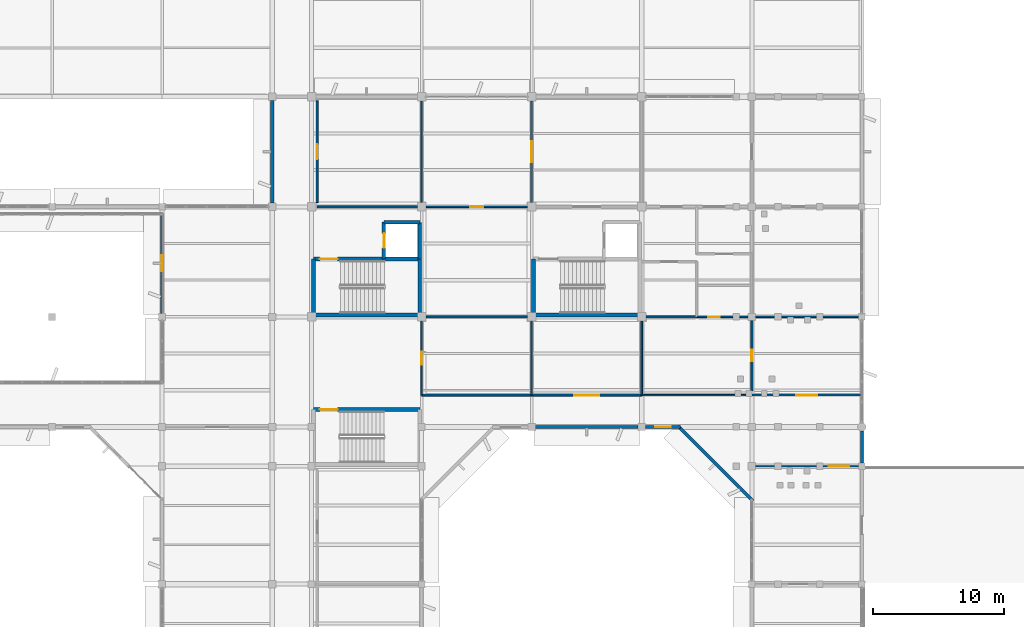
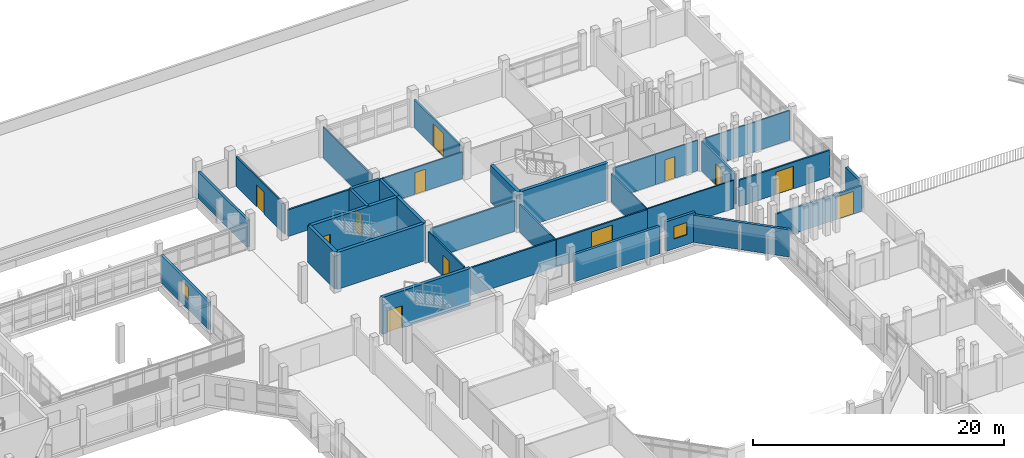
# One storey, part 64 of 92: 34 walls, 12 doors, 2 windows, 14 openings.
"""IFC4 building model written with IfcOpenShell, lengths in metres."""

from ifc_helpers import new_model, si_unit, direction, frame, frame_2d, origin, place, context, subcontext, project, spatial, rectangle, extrude, material, layer, layer_set, type_object, element, fill, save


model = new_model("IFC4")

# Units and contexts
model_context = context("Model", 3, precision=1e-05, world=origin(), true_north=direction((0.0, 1.0)))
body_context = subcontext(model_context, "Body", "Model", "MODEL_VIEW")
ifc_project = project(units=[si_unit("LENGTHUNIT", "METRE"), si_unit("AREAUNIT", "SQUARE_METRE"), si_unit("VOLUMEUNIT", "CUBIC_METRE"), si_unit("PLANEANGLEUNIT", "RADIAN"), si_unit("MASSUNIT", "GRAM", prefix="KILO")], contexts=[model_context])

# Site, building, storey
site_placement = place(None, origin())
site = spatial("IfcSite", under=ifc_project, at=site_placement, CompositionType="ELEMENT")
building_placement = place(site_placement, origin())
building = spatial("IfcBuilding", under=site, at=building_placement, Name="Vanh Quang Courtyard School", CompositionType="ELEMENT")
storey_placement = place(building_placement, frame((0.0, 0.0, 7.800048828125)))
storey = spatial("IfcBuildingStorey", under=building, at=storey_placement, Name="L02", CompositionType="ELEMENT", Elevation=7.800048828125)

# Walls
ifc_material_1 = material(Name="Concrete C35/45", Category="concrete")
ifc_layer_1 = layer(ifc_material_1, 0.300048828125)
ifc_layer_set_1 = layer_set([ifc_layer_1], Name="Concrete C35/45")
wall_type_1 = type_object("IfcWallType", Name="W-CORE-300", PredefinedType="SHEAR", material=ifc_layer_set_1)
wall_1_placement = place(storey_placement, frame((77.5400390625, 79.93994140625, 0.0), z_axis=(0.0, 0.0, 1.0), x_axis=(1.0, 0.0, 0.0)))
element("IfcWall", 1, at=wall_1_placement, inside=storey, type_object=wall_type_1, Name="Wall W-CORE1 (L02)", PredefinedType="SHEAR", context=body_context, shape_type="SweptSolid", body=[
    extrude(rectangle(XDim=8.119873046875, YDim=0.300048828125, at=frame_2d((4.06005859375, 0.0))), origin(), (0.0, 0.0, 1.0), 3.599853515625),
])
wall_2_placement = place(storey_placement, frame((85.659912109375, 79.93994140625, 0.0), z_axis=(0.0, 0.0, 1.0), x_axis=(0.0, 1.0, 0.0)))
element("IfcWall", 2, at=wall_2_placement, inside=storey, type_object=wall_type_1, Name="Wall W-CORE1 (L02)", PredefinedType="SHEAR", context=body_context, shape_type="SweptSolid", body=[
    extrude(rectangle(XDim=4.280029296875, YDim=0.300048828125, at=frame_2d((2.14013671875, 0.0))), origin(), (0.0, 0.0, 1.0), 3.599853515625),
])

# Wall, opening, door
wall_3_placement = place(storey_placement, frame((85.659912109375, 84.219970703125, 0.0), z_axis=(0.0, 0.0, 1.0), x_axis=(-1.0, 0.0, 0.0)))
wall_3 = element("IfcWall", 3, at=wall_3_placement, inside=storey, type_object=wall_type_1, Name="Wall W-CORE1 (L02)", PredefinedType="SHEAR", context=body_context, shape_type="SweptSolid", body=[
    extrude(rectangle(XDim=8.119873046875, YDim=0.300048828125, at=frame_2d((4.06005859375, 0.0))), origin(), (0.0, 0.0, 1.0), 3.599853515625),
])
opening_1_placement = place(wall_3_placement, frame((6.27001953125, 0.0, 0.0)))
opening_1 = element("IfcOpeningElement", 4, at=opening_1_placement, cuts=wall_3, Name="Opening L02-DS1", PredefinedType="OPENING", context=body_context, shape_type="SweptSolid", body=[
    extrude(rectangle(XDim=1.35009765625, YDim=2.14990234375, at=frame_2d((0.675048828125, 1.074951171875))), frame((0.0, 0.16015625, 0.0), z_axis=(0.0, -1.0, 0.0), x_axis=(1.0, 0.0, 0.0)), (0.0, 0.0, 1.0), 0.320068359375),
])
ifc_material_2 = material(Name="Painted galvanised steel fire door", Category="steel")
door_type_1 = type_object("IfcDoorType", Name="IDR-ST-1350x2150", OperationType="NOTDEFINED", PredefinedType="DOOR", material=ifc_material_2)
door_1_placement = place(opening_1_placement, frame((1.35009765625, 0.0, 0.0), z_axis=(0.0, 0.0, 1.0), x_axis=(-1.0, 0.0, 0.0)))
door_1 = element("IfcDoor", 5, at=door_1_placement, inside=storey, type_object=door_type_1, Name="Door L02-DS1 (L02)", OperationType="SINGLE_SWING_RIGHT", OverallHeight=2.14990234375, OverallWidth=1.35009765625, PredefinedType="DOOR", context=body_context, shape_type="SweptSolid", body=[
    extrude(rectangle(XDim=1.35009765625, YDim=2.14990234375, at=frame_2d((0.675048828125, 1.074951171875))), frame((0.0, 0.02490234375, 0.0), z_axis=(0.0, -1.0, 0.0), x_axis=(1.0, 0.0, 0.0)), (0.0, 0.0, 1.0), 0.050048828125),
])
fill(opening_1, door_1)

# Walls
wall_4_placement = place(storey_placement, frame((77.5400390625, 84.219970703125, 0.0), z_axis=(0.0, 0.0, 1.0), x_axis=(0.0, -1.0, 0.0)))
element("IfcWall", 6, at=wall_4_placement, inside=storey, type_object=wall_type_1, Name="Wall W-CORE1 (L02)", PredefinedType="SHEAR", context=body_context, shape_type="SweptSolid", body=[
    extrude(rectangle(XDim=4.280029296875, YDim=0.300048828125, at=frame_2d((2.14013671875, 0.0))), origin(), (0.0, 0.0, 1.0), 3.599853515625),
])
wall_5_placement = place(storey_placement, frame((94.340087890625, 79.93994140625, 0.0), z_axis=(0.0, 0.0, 1.0), x_axis=(1.0, 0.0, 0.0)))
element("IfcWall", 7, at=wall_5_placement, inside=storey, type_object=wall_type_1, Name="Wall W-CORE1 (L02)", PredefinedType="SHEAR", context=body_context, shape_type="SweptSolid", body=[
    extrude(rectangle(XDim=8.119873046875, YDim=0.300048828125, at=frame_2d((4.06005859375, 0.0))), origin(), (0.0, 0.0, 1.0), 3.599853515625),
])
wall_6_placement = place(storey_placement, frame((94.340087890625, 84.219970703125, 0.0), z_axis=(0.0, 0.0, 1.0), x_axis=(0.0, -1.0, 0.0)))
element("IfcWall", 8, at=wall_6_placement, inside=storey, type_object=wall_type_1, Name="Wall W-CORE1 (L02)", PredefinedType="SHEAR", context=body_context, shape_type="SweptSolid", body=[
    extrude(rectangle(XDim=4.280029296875, YDim=0.300048828125, at=frame_2d((2.14013671875, 0.0))), origin(), (0.0, 0.0, 1.0), 3.599853515625),
])

# Wall, opening, door
wall_7_placement = place(storey_placement, frame((85.659912109375, 72.739990234375, 0.0), z_axis=(0.0, 0.0, 1.0), x_axis=(-1.0, 0.0, 0.0)))
wall_7 = element("IfcWall", 9, at=wall_7_placement, inside=storey, type_object=wall_type_1, Name="Wall W-CORE1 (L02)", PredefinedType="SHEAR", context=body_context, shape_type="SweptSolid", body=[
    extrude(rectangle(XDim=8.119873046875, YDim=0.300048828125, at=frame_2d((4.06005859375, 0.0))), origin(), (0.0, 0.0, 1.0), 3.599853515625),
])
opening_2_placement = place(wall_7_placement, frame((6.27001953125, 0.0, 0.0)))
opening_2 = element("IfcOpeningElement", 10, at=opening_2_placement, cuts=wall_7, Name="Opening L02-DS5", PredefinedType="OPENING", context=body_context, shape_type="SweptSolid", body=[
    extrude(rectangle(XDim=1.35009765625, YDim=2.14990234375, at=frame_2d((0.675048828125, 1.074951171875))), frame((0.0, 0.16015625, 0.0), z_axis=(0.0, -1.0, 0.0), x_axis=(1.0, 0.0, 0.0)), (0.0, 0.0, 1.0), 0.320068359375),
])
door_2_placement = place(opening_2_placement, frame((1.35009765625, 0.0, 0.0), z_axis=(0.0, 0.0, 1.0), x_axis=(-1.0, 0.0, 0.0)))
door_2 = element("IfcDoor", 11, at=door_2_placement, inside=storey, type_object=door_type_1, Name="Door L02-DS5 (L02)", OperationType="SINGLE_SWING_RIGHT", OverallHeight=2.14990234375, OverallWidth=1.35009765625, PredefinedType="DOOR", context=body_context, shape_type="SweptSolid", body=[
    extrude(rectangle(XDim=1.35009765625, YDim=2.14990234375, at=frame_2d((0.675048828125, 1.074951171875))), frame((0.0, 0.02490234375, 0.0), z_axis=(0.0, -1.0, 0.0), x_axis=(1.0, 0.0, 0.0)), (0.0, 0.0, 1.0), 0.050048828125),
])
fill(opening_2, door_2)

# Walls
ifc_material_3 = material(Name="Precast concrete C40/50", Category="concrete")
ifc_layer_2 = layer(ifc_material_3, 0.239990234375)
ifc_layer_set_2 = layer_set([ifc_layer_2], Name="Precast concrete C40/50")
wall_type_2 = type_object("IfcWallType", Name="W-EXT-240", PredefinedType="SOLIDWALL", material=ifc_layer_set_2)
wall_8_placement = place(storey_placement, frame((74.39990234375, 88.472900390625, 0.0), z_axis=(0.0, 0.0, 1.0), x_axis=(0.0, 1.0, 0.0)))
element("IfcWall", 12, at=wall_8_placement, inside=storey, type_object=wall_type_2, Name="Wall WE-03 (L02)", PredefinedType="SOLIDWALL", context=body_context, shape_type="SweptSolid", body=[
    extrude(rectangle(XDim=7.85400390625, YDim=0.239990234375, at=frame_2d((3.927001953125, 0.0))), origin(), (0.0, 0.0, 1.0), 2.599853515625),
])
wall_9_placement = place(storey_placement, frame((119.39990234375, 71.076904296875, 0.0), z_axis=(0.0, 0.0, 1.0), x_axis=(0.0, -1.0, 0.0)))
element("IfcWall", 13, at=wall_9_placement, inside=storey, type_object=wall_type_2, Name="Wall WE-03 (L02)", PredefinedType="SOLIDWALL", context=body_context, shape_type="SweptSolid", body=[
    extrude(rectangle(XDim=2.428955078125, YDim=0.239990234375, at=frame_2d((1.21435546875, 0.0))), origin(), (0.0, 0.0, 1.0), 2.579833984375),
])
wall_10_placement = place(storey_placement, frame((111.0849609375, 65.77099609375, 0.0), z_axis=(0.0, 0.0, 1.0), x_axis=(-0.707106781187, 0.707106781187, 0.0)))
element("IfcWall", 14, at=wall_10_placement, inside=storey, type_object=wall_type_2, Name="Wall WE-03 (L02)", PredefinedType="SOLIDWALL", context=body_context, shape_type="SweptSolid", body=[
    extrude(rectangle(XDim=8.08056640625, YDim=0.239990234375, at=frame_2d((4.040283203125, 0.0))), origin(), (0.0, 0.0, 1.0), 2.639892578125),
])

# Wall, opening, window
wall_11_placement = place(storey_placement, frame((105.575927734375, 71.39990234375, 0.0), z_axis=(0.0, 0.0, 1.0), x_axis=(-1.0, 0.0, 0.0)))
wall_11 = element("IfcWall", 15, at=wall_11_placement, inside=storey, type_object=wall_type_2, Name="Wall WE-03 (L02)", PredefinedType="SOLIDWALL", context=body_context, shape_type="SweptSolid", body=[
    extrude(rectangle(XDim=2.702880859375, YDim=0.239990234375, at=frame_2d((1.3515625, 0.0))), origin(), (0.0, 0.0, 1.0), 2.889892578125),
])
opening_3_placement = place(wall_11_placement, frame((0.75146484375, 0.0, 0.949951171875)))
opening_3 = element("IfcOpeningElement", 16, at=opening_3_placement, cuts=wall_11, Name="Opening WN-01", PredefinedType="OPENING", context=body_context, shape_type="SweptSolid", body=[
    extrude(rectangle(XDim=1.199951171875, YDim=1.199951171875, at=frame_2d((0.60009765625, 0.60009765625))), frame((0.0, 0.1298828125, 0.0), z_axis=(0.0, -1.0, 0.0), x_axis=(1.0, 0.0, 0.0)), (0.0, 0.0, 1.0), 0.260009765625),
])
ifc_material_4 = material(Name="Anodised aluminium and low-E double glazing", Category="aluminium")
window_type = type_object("IfcWindowType", Name="WIN-TYP-01", PartitioningType="SINGLE_PANEL", PredefinedType="WINDOW", material=ifc_material_4)
window_1_placement = place(opening_3_placement, origin())
window_1 = element("IfcWindow", 17, at=window_1_placement, inside=storey, type_object=window_type, Name="Window WN-01 (L02)", OverallHeight=1.199951171875, OverallWidth=1.199951171875, PartitioningType="SINGLE_PANEL", PredefinedType="WINDOW", context=body_context, shape_type="SweptSolid", body=[
    extrude(rectangle(XDim=1.199951171875, YDim=1.199951171875, at=frame_2d((0.60009765625, 0.60009765625))), frame((0.0, 0.030029296875, 0.0), z_axis=(0.0, -1.0, 0.0), x_axis=(1.0, 0.0, 0.0)), (0.0, 0.0, 1.0), 0.06005859375),
])
fill(opening_3, window_1)

# Wall
wall_12_placement = place(storey_placement, frame((102.326904296875, 71.39990234375, 0.0), z_axis=(0.0, 0.0, 1.0), x_axis=(-1.0, 0.0, 0.0)))
element("IfcWall", 18, at=wall_12_placement, inside=storey, type_object=wall_type_2, Name="Wall WE-03 (L02)", PredefinedType="SOLIDWALL", context=body_context, shape_type="SweptSolid", body=[
    extrude(rectangle(XDim=7.85400390625, YDim=0.239990234375, at=frame_2d((3.927001953125, 0.0))), origin(), (0.0, 0.0, 1.0), 2.639892578125),
])

# Wall, opening, window
wall_13_placement = place(storey_placement, frame((66.0, 80.072998046875, 0.0), z_axis=(0.0, 0.0, 1.0), x_axis=(0.0, 1.0, 0.0)))
wall_13 = element("IfcWall", 19, at=wall_13_placement, inside=storey, type_object=wall_type_2, Name="Wall WE-03 (L02)", PredefinedType="SOLIDWALL", context=body_context, shape_type="SweptSolid", body=[
    extrude(rectangle(XDim=7.64697265625, YDim=0.239990234375, at=frame_2d((3.823486328125, 0.0))), origin(), (0.0, 0.0, 1.0), 2.64990234375),
])
opening_4_placement = place(wall_13_placement, frame((3.223388671875, 0.0, 0.949951171875)))
opening_4 = element("IfcOpeningElement", 20, at=opening_4_placement, cuts=wall_13, Name="Opening WN-01", PredefinedType="OPENING", context=body_context, shape_type="SweptSolid", body=[
    extrude(rectangle(XDim=1.199951171875, YDim=1.199951171875, at=frame_2d((0.60009765625, 0.60009765625))), frame((0.0, 0.1298828125, 0.0), z_axis=(0.0, -1.0, 0.0), x_axis=(1.0, 0.0, 0.0)), (0.0, 0.0, 1.0), 0.260009765625),
])
window_2_placement = place(opening_4_placement, origin())
window_2 = element("IfcWindow", 21, at=window_2_placement, inside=storey, type_object=window_type, Name="Window WN-01 (L02)", OverallHeight=1.199951171875, OverallWidth=1.199951171875, PartitioningType="SINGLE_PANEL", PredefinedType="WINDOW", context=body_context, shape_type="SweptSolid", body=[
    extrude(rectangle(XDim=1.199951171875, YDim=1.199951171875, at=frame_2d((0.60009765625, 0.60009765625))), frame((0.0, 0.030029296875, 0.0), z_axis=(0.0, -1.0, 0.0), x_axis=(1.0, 0.0, 0.0)), (0.0, 0.0, 1.0), 0.06005859375),
])
fill(opening_4, window_2)

# Wall, opening, door
ifc_material_5 = material(Name="Acoustic gypsum stud partition", Category="gypsum")
ifc_layer_3 = layer(ifc_material_5, 0.1201171875)
ifc_layer_set_3 = layer_set([ifc_layer_3], Name="Acoustic gypsum stud partition")
wall_type_3 = type_object("IfcWallType", Name="W-PART-120", PredefinedType="PARTITIONING", material=ifc_layer_set_3)
wall_14_placement = place(storey_placement, frame((110.72705078125, 79.800048828125, 0.0), z_axis=(0.0, 0.0, 1.0), x_axis=(-1.0, 0.0, 0.0)))
wall_14 = element("IfcWall", 22, at=wall_14_placement, inside=storey, type_object=wall_type_3, Name="Wall W-PRT2 (L02)", PredefinedType="PARTITIONING", context=body_context, shape_type="SweptSolid", body=[
    extrude(rectangle(XDim=3.906982421875, YDim=0.1201171875, at=frame_2d((1.95361328125, 0.0))), origin(), (0.0, 0.0, 1.0), 2.949951171875),
])
opening_5_placement = place(wall_14_placement, frame((2.153564453125, 0.0, 0.0)))
opening_5 = element("IfcOpeningElement", 23, at=opening_5_placement, cuts=wall_14, Name="Opening L02-D093", PredefinedType="OPENING", context=body_context, shape_type="SweptSolid", body=[
    extrude(rectangle(XDim=0.89990234375, YDim=2.10009765625, at=frame_2d((0.449951171875, 1.050048828125))), frame((0.0, 0.070068359375, 0.0), z_axis=(0.0, -1.0, 0.0), x_axis=(1.0, 0.0, 0.0)), (0.0, 0.0, 1.0), 0.14013671875),
])
ifc_material_6 = material(Name="Solid-core hardwood acoustic door", Category="wood")
door_type_2 = type_object("IfcDoorType", Name="IDR-WC-0900x2100", OperationType="NOTDEFINED", PredefinedType="DOOR", material=ifc_material_6)
door_3_placement = place(opening_5_placement, origin())
door_3 = element("IfcDoor", 24, at=door_3_placement, inside=storey, type_object=door_type_2, Name="Door L02-D093 (L02)", OperationType="SINGLE_SWING_RIGHT", OverallHeight=2.10009765625, OverallWidth=0.89990234375, PredefinedType="DOOR", context=body_context, shape_type="SweptSolid", body=[
    extrude(rectangle(XDim=0.89990234375, YDim=2.10009765625, at=frame_2d((0.449951171875, 1.050048828125))), frame((0.0, 0.02490234375, 0.0), z_axis=(0.0, -1.0, 0.0), x_axis=(1.0, 0.0, 0.0)), (0.0, 0.0, 1.0), 0.050048828125),
])
fill(opening_5, door_3)

# Wall
wall_15_placement = place(storey_placement, frame((85.800048828125, 96.277099609375, 0.0), z_axis=(0.0, 0.0, 1.0), x_axis=(0.0, -1.0, 0.0)))
element("IfcWall", 25, at=wall_15_placement, inside=storey, type_object=wall_type_3, Name="Wall W-PRT2 (L02)", PredefinedType="PARTITIONING", context=body_context, shape_type="SweptSolid", body=[
    extrude(rectangle(XDim=7.754150390625, YDim=0.1201171875, at=frame_2d((3.876953125, 0.0))), origin(), (0.0, 0.0, 1.0), 2.97998046875),
])

# Wall, opening, door
wall_16_placement = place(storey_placement, frame((85.800048828125, 73.820068359375, 0.0), z_axis=(0.0, 0.0, 1.0), x_axis=(0.0, 1.0, 0.0)))
wall_16 = element("IfcWall", 26, at=wall_16_placement, inside=storey, type_object=wall_type_3, Name="Wall W-PRT2 (L02)", PredefinedType="PARTITIONING", context=body_context, shape_type="SweptSolid", body=[
    extrude(rectangle(XDim=5.656982421875, YDim=0.1201171875, at=frame_2d((2.82861328125, 0.0))), origin(), (0.0, 0.0, 1.0), 2.97998046875),
])
opening_6_placement = place(wall_16_placement, frame((2.32861328125, 0.0, 0.0)))
opening_6 = element("IfcOpeningElement", 27, at=opening_6_placement, cuts=wall_16, Name="Opening L02-D114", PredefinedType="OPENING", context=body_context, shape_type="SweptSolid", body=[
    extrude(rectangle(XDim=1.0, YDim=2.10009765625, at=frame_2d((0.5, 1.050048828125))), frame((0.0, 0.070068359375, 0.0), z_axis=(0.0, -1.0, 0.0), x_axis=(1.0, 0.0, 0.0)), (0.0, 0.0, 1.0), 0.14013671875),
])
door_type_3 = type_object("IfcDoorType", Name="IDR-CLS-1000x2100", OperationType="NOTDEFINED", PredefinedType="DOOR", material=ifc_material_6)
door_4_placement = place(opening_6_placement, origin())
door_4 = element("IfcDoor", 28, at=door_4_placement, inside=storey, type_object=door_type_3, Name="Door L02-D114 (L02)", OperationType="SINGLE_SWING_LEFT", OverallHeight=2.10009765625, OverallWidth=1.0, PredefinedType="DOOR", context=body_context, shape_type="SweptSolid", body=[
    extrude(rectangle(XDim=1.0, YDim=2.10009765625, at=frame_2d((0.5, 1.050048828125))), frame((0.0, 0.02490234375, 0.0), z_axis=(0.0, -1.0, 0.0), x_axis=(1.0, 0.0, 0.0)), (0.0, 0.0, 1.0), 0.050048828125),
])
fill(opening_6, door_4)

# Wall
wall_17_placement = place(storey_placement, frame((94.199951171875, 79.47705078125, 0.0), z_axis=(0.0, 0.0, 1.0), x_axis=(0.0, -1.0, 0.0)))
element("IfcWall", 29, at=wall_17_placement, inside=storey, type_object=wall_type_3, Name="Wall W-PRT2 (L02)", PredefinedType="PARTITIONING", context=body_context, shape_type="SweptSolid", body=[
    extrude(rectangle(XDim=5.656982421875, YDim=0.1201171875, at=frame_2d((2.82861328125, 0.0))), origin(), (0.0, 0.0, 1.0), 2.68994140625),
])

# Wall, opening, door
wall_18_placement = place(storey_placement, frame((86.123046875, 88.199951171875, 0.0), z_axis=(0.0, 0.0, 1.0), x_axis=(1.0, 0.0, 0.0)))
wall_18 = element("IfcWall", 30, at=wall_18_placement, inside=storey, type_object=wall_type_3, Name="Wall W-PRT2 (L02)", PredefinedType="PARTITIONING", context=body_context, shape_type="SweptSolid", body=[
    extrude(rectangle(XDim=7.75390625, YDim=0.1201171875, at=frame_2d((3.876953125, 0.0))), origin(), (0.0, 0.0, 1.0), 2.58984375),
])
opening_7_placement = place(wall_18_placement, frame((3.386962890625, 0.0, 0.0)))
opening_7 = element("IfcOpeningElement", 31, at=opening_7_placement, cuts=wall_18, Name="Opening L02-D115", PredefinedType="OPENING", context=body_context, shape_type="SweptSolid", body=[
    extrude(rectangle(XDim=0.97998046875, YDim=2.1201171875, at=frame_2d((0.489990234375, 1.06005859375))), frame((0.0, 0.070068359375, 0.0), z_axis=(0.0, -1.0, 0.0), x_axis=(1.0, 0.0, 0.0)), (0.0, 0.0, 1.0), 0.14013671875),
])
door_type_4 = type_object("IfcDoorType", Name="IDR-CLS-1050x2100", OperationType="NOTDEFINED", PredefinedType="DOOR", material=ifc_material_6)
door_5_placement = place(opening_7_placement, origin())
door_5 = element("IfcDoor", 32, at=door_5_placement, inside=storey, type_object=door_type_4, Name="Door L02-D115 (L02)", OperationType="SINGLE_SWING_RIGHT", OverallHeight=2.1201171875, OverallWidth=0.97998046875, PredefinedType="DOOR", context=body_context, shape_type="SweptSolid", body=[
    extrude(rectangle(XDim=0.97998046875, YDim=2.1201171875, at=frame_2d((0.489990234375, 1.06005859375))), frame((0.0, 0.02490234375, 0.0), z_axis=(0.0, -1.0, 0.0), x_axis=(1.0, 0.0, 0.0)), (0.0, 0.0, 1.0), 0.050048828125),
])
fill(opening_7, door_5)

# Walls
wall_19_placement = place(storey_placement, frame((102.60009765625, 79.47705078125, 0.0), z_axis=(0.0, 0.0, 1.0), x_axis=(0.0, -1.0, 0.0)))
element("IfcWall", 33, at=wall_19_placement, inside=storey, type_object=wall_type_3, Name="Wall W-PRT2 (L02)", PredefinedType="PARTITIONING", context=body_context, shape_type="SweptSolid", body=[
    extrude(rectangle(XDim=5.656982421875, YDim=0.1201171875, at=frame_2d((2.82861328125, 0.0))), origin(), (0.0, 0.0, 1.0), 2.739990234375),
])
wall_20_placement = place(storey_placement, frame((110.576904296875, 73.820068359375, 0.0), z_axis=(0.0, 0.0, 1.0), x_axis=(-1.0, 0.0, 0.0)))
element("IfcWall", 34, at=wall_20_placement, inside=storey, type_object=wall_type_3, Name="Wall W-PRT2 (L02)", PredefinedType="PARTITIONING", context=body_context, shape_type="SweptSolid", body=[
    extrude(rectangle(XDim=7.956787109375, YDim=0.1201171875, at=frame_2d((3.978515625, 0.0))), origin(), (0.0, 0.0, 1.0), 2.739990234375),
])
wall_21_placement = place(storey_placement, frame((111.27294921875, 79.800048828125, 0.0), z_axis=(0.0, 0.0, 1.0), x_axis=(1.0, 0.0, 0.0)))
element("IfcWall", 35, at=wall_21_placement, inside=storey, type_object=wall_type_3, Name="Wall W-PRT2 (L02)", PredefinedType="PARTITIONING", context=body_context, shape_type="SweptSolid", body=[
    extrude(rectangle(XDim=7.879150390625, YDim=0.1201171875, at=frame_2d((3.939453125, 0.0))), origin(), (0.0, 0.0, 1.0), 2.889892578125),
])
ifc_material_7 = material(Name="Autoclaved aerated masonry blockwork", Category="masonry")
ifc_layer_4 = layer(ifc_material_7, 0.14990234375)
ifc_layer_set_4 = layer_set([ifc_layer_4], Name="Autoclaved aerated masonry blockwork")
wall_type_4 = type_object("IfcWallType", Name="W-PART-150", PredefinedType="PARTITIONING", material=ifc_layer_set_4)
wall_22_placement = place(storey_placement, frame((106.800048828125, 79.800048828125, 0.0), z_axis=(0.0, 0.0, 1.0), x_axis=(-1.0, 0.0, 0.0)))
element("IfcWall", 36, at=wall_22_placement, inside=storey, type_object=wall_type_4, Name="Wall W-PRT1 (L02)", PredefinedType="PARTITIONING", context=body_context, shape_type="SweptSolid", body=[
    extrude(rectangle(XDim=3.876953125, YDim=0.14990234375, at=frame_2d((1.9384765625, 0.0))), origin(), (0.0, 0.0, 1.0), 2.949951171875),
])

# Wall, opening, door
wall_23_placement = place(storey_placement, frame((77.820068359375, 88.52294921875, 0.0), z_axis=(0.0, 0.0, 1.0), x_axis=(0.0, 1.0, 0.0)))
wall_23 = element("IfcWall", 37, at=wall_23_placement, inside=storey, type_object=wall_type_4, Name="Wall W-PRT1 (L02)", PredefinedType="PARTITIONING", context=body_context, shape_type="SweptSolid", body=[
    extrude(rectangle(XDim=7.754150390625, YDim=0.14990234375, at=frame_2d((3.876953125, 0.0))), origin(), (0.0, 0.0, 1.0), 2.889892578125),
])
opening_8_placement = place(wall_23_placement, frame((3.302001953125, 0.0, 0.0)))
opening_8 = element("IfcOpeningElement", 38, at=opening_8_placement, cuts=wall_23, Name="Opening L02-D111", PredefinedType="OPENING", context=body_context, shape_type="SweptSolid", body=[
    extrude(rectangle(XDim=1.14990234375, YDim=2.14990234375, at=frame_2d((0.574951171875, 1.074951171875))), frame((0.0, 0.0849609375, 0.0), z_axis=(0.0, -1.0, 0.0), x_axis=(1.0, 0.0, 0.0)), (0.0, 0.0, 1.0), 0.169921875),
])
door_type_5 = type_object("IfcDoorType", Name="IDR-LAB-1150x2150", OperationType="NOTDEFINED", PredefinedType="DOOR", material=ifc_material_2)
door_6_placement = place(opening_8_placement, origin())
door_6 = element("IfcDoor", 39, at=door_6_placement, inside=storey, type_object=door_type_5, Name="Door L02-D111 (L02)", OperationType="SINGLE_SWING_RIGHT", OverallHeight=2.14990234375, OverallWidth=1.14990234375, PredefinedType="DOOR", context=body_context, shape_type="SweptSolid", body=[
    extrude(rectangle(XDim=1.14990234375, YDim=2.14990234375, at=frame_2d((0.574951171875, 1.074951171875))), frame((0.0, 0.02490234375, 0.0), z_axis=(0.0, -1.0, 0.0), x_axis=(1.0, 0.0, 0.0)), (0.0, 0.0, 1.0), 0.050048828125),
])
fill(opening_8, door_6)

# Walls
wall_24_placement = place(storey_placement, frame((85.47705078125, 88.199951171875, 0.0), z_axis=(0.0, 0.0, 1.0), x_axis=(-1.0, 0.0, 0.0)))
element("IfcWall", 40, at=wall_24_placement, inside=storey, type_object=wall_type_4, Name="Wall W-PRT1 (L02)", PredefinedType="PARTITIONING", context=body_context, shape_type="SweptSolid", body=[
    extrude(rectangle(XDim=7.656982421875, YDim=0.14990234375, at=frame_2d((3.82861328125, 0.0))), origin(), (0.0, 0.0, 1.0), 2.58984375),
])
wall_25_placement = place(storey_placement, frame((86.123046875, 79.800048828125, 0.0), z_axis=(0.0, 0.0, 1.0), x_axis=(1.0, 0.0, 0.0)))
element("IfcWall", 41, at=wall_25_placement, inside=storey, type_object=wall_type_4, Name="Wall W-PRT1 (L02)", PredefinedType="PARTITIONING", context=body_context, shape_type="SweptSolid", body=[
    extrude(rectangle(XDim=7.75390625, YDim=0.14990234375, at=frame_2d((3.876953125, 0.0))), origin(), (0.0, 0.0, 1.0), 2.949951171875),
])
wall_26_placement = place(storey_placement, frame((94.199951171875, 73.820068359375, 0.0), z_axis=(0.0, 0.0, 1.0), x_axis=(-1.0, 0.0, 0.0)))
element("IfcWall", 42, at=wall_26_placement, inside=storey, type_object=wall_type_4, Name="Wall W-PRT1 (L02)", PredefinedType="PARTITIONING", context=body_context, shape_type="SweptSolid", body=[
    extrude(rectangle(XDim=8.39990234375, YDim=0.14990234375, at=frame_2d((4.199951171875, 0.0))), origin(), (0.0, 0.0, 1.0), 2.68994140625),
])

# Wall, opening, door
wall_27_placement = place(storey_placement, frame((94.199951171875, 96.277099609375, 0.0), z_axis=(0.0, 0.0, 1.0), x_axis=(0.0, -1.0, 0.0)))
wall_27 = element("IfcWall", 43, at=wall_27_placement, inside=storey, type_object=wall_type_4, Name="Wall W-PRT1 (L02)", PredefinedType="PARTITIONING", context=body_context, shape_type="SweptSolid", body=[
    extrude(rectangle(XDim=7.754150390625, YDim=0.14990234375, at=frame_2d((3.876953125, 0.0))), origin(), (0.0, 0.0, 1.0), 2.68994140625),
])
opening_9_placement = place(wall_27_placement, frame((3.076904296875, 0.0, 0.0)))
opening_9 = element("IfcOpeningElement", 44, at=opening_9_placement, cuts=wall_27, Name="Opening L02-D116", PredefinedType="OPENING", context=body_context, shape_type="SweptSolid", body=[
    extrude(rectangle(XDim=1.60009765625, YDim=2.199951171875, at=frame_2d((0.800048828125, 1.10009765625))), frame((0.0, 0.0849609375, 0.0), z_axis=(0.0, -1.0, 0.0), x_axis=(1.0, 0.0, 0.0)), (0.0, 0.0, 1.0), 0.169921875),
])
door_type_6 = type_object("IfcDoorType", Name="IDR-FD-1600x2200", OperationType="NOTDEFINED", PredefinedType="DOOR", material=ifc_material_2)
door_7_placement = place(opening_9_placement, origin())
door_7 = element("IfcDoor", 45, at=door_7_placement, inside=storey, type_object=door_type_6, Name="Door L02-D116 (L02)", OperationType="DOUBLE_DOOR_SINGLE_SWING", OverallHeight=2.199951171875, OverallWidth=1.60009765625, PredefinedType="DOOR", context=body_context, shape_type="SweptSolid", body=[
    extrude(rectangle(XDim=1.60009765625, YDim=2.199951171875, at=frame_2d((0.800048828125, 1.10009765625))), frame((0.0, 0.02490234375, 0.0), z_axis=(0.0, -1.0, 0.0), x_axis=(1.0, 0.0, 0.0)), (0.0, 0.0, 1.0), 0.050048828125),
])
fill(opening_9, door_7)

wall_28_placement = place(storey_placement, frame((102.60009765625, 73.820068359375, 0.0), z_axis=(0.0, 0.0, 1.0), x_axis=(-1.0, 0.0, 0.0)))
wall_28 = element("IfcWall", 46, at=wall_28_placement, inside=storey, type_object=wall_type_4, Name="Wall W-PRT1 (L02)", PredefinedType="PARTITIONING", context=body_context, shape_type="SweptSolid", body=[
    extrude(rectangle(XDim=8.380126953125, YDim=0.14990234375, at=frame_2d((4.18994140625, 0.0))), origin(), (0.0, 0.0, 1.0), 2.68994140625),
])
opening_10_placement = place(wall_28_placement, frame((3.239990234375, 0.0, 0.0)))
opening_10 = element("IfcOpeningElement", 47, at=opening_10_placement, cuts=wall_28, Name="Opening L02-D118", PredefinedType="OPENING", context=body_context, shape_type="SweptSolid", body=[
    extrude(rectangle(XDim=1.89990234375, YDim=2.300048828125, at=frame_2d((0.949951171875, 1.14990234375))), frame((0.0, 0.0849609375, 0.0), z_axis=(0.0, -1.0, 0.0), x_axis=(1.0, 0.0, 0.0)), (0.0, 0.0, 1.0), 0.169921875),
])
door_type_7 = type_object("IfcDoorType", Name="IDR-HAL-1900x2300", OperationType="NOTDEFINED", PredefinedType="DOOR", material=ifc_material_2)
door_8_placement = place(opening_10_placement, origin())
door_8 = element("IfcDoor", 48, at=door_8_placement, inside=storey, type_object=door_type_7, Name="Door L02-D118 (L02)", OperationType="DOUBLE_DOOR_SINGLE_SWING", OverallHeight=2.300048828125, OverallWidth=1.89990234375, PredefinedType="DOOR", context=body_context, shape_type="SweptSolid", body=[
    extrude(rectangle(XDim=1.89990234375, YDim=2.300048828125, at=frame_2d((0.949951171875, 1.14990234375))), frame((0.0, 0.02490234375, 0.0), z_axis=(0.0, -1.0, 0.0), x_axis=(1.0, 0.0, 0.0)), (0.0, 0.0, 1.0), 0.050048828125),
])
fill(opening_10, door_8)

wall_29_placement = place(storey_placement, frame((111.0, 79.527099609375, 0.0), z_axis=(0.0, 0.0, 1.0), x_axis=(0.0, -1.0, 0.0)))
wall_29 = element("IfcWall", 49, at=wall_29_placement, inside=storey, type_object=wall_type_4, Name="Wall W-PRT1 (L02)", PredefinedType="PARTITIONING", context=body_context, shape_type="SweptSolid", body=[
    extrude(rectangle(XDim=5.35400390625, YDim=0.14990234375, at=frame_2d((2.677001953125, 0.0))), origin(), (0.0, 0.0, 1.0), 2.93994140625),
])
opening_11_placement = place(wall_29_placement, frame((2.22705078125, 0.0, 0.0)))
opening_11 = element("IfcOpeningElement", 50, at=opening_11_placement, cuts=wall_29, Name="Opening L02-D120", PredefinedType="OPENING", context=body_context, shape_type="SweptSolid", body=[
    extrude(rectangle(XDim=0.89990234375, YDim=2.050048828125, at=frame_2d((0.449951171875, 1.02490234375))), frame((0.0, 0.0849609375, 0.0), z_axis=(0.0, -1.0, 0.0), x_axis=(1.0, 0.0, 0.0)), (0.0, 0.0, 1.0), 0.169921875),
])
door_type_8 = type_object("IfcDoorType", Name="IDR-RS-0900x2050", OperationType="NOTDEFINED", PredefinedType="DOOR", material=ifc_material_2)
door_9_placement = place(opening_11_placement, origin())
door_9 = element("IfcDoor", 51, at=door_9_placement, inside=storey, type_object=door_type_8, Name="Door L02-D120 (L02)", OperationType="SINGLE_SWING_LEFT", OverallHeight=2.050048828125, OverallWidth=0.89990234375, PredefinedType="DOOR", context=body_context, shape_type="SweptSolid", body=[
    extrude(rectangle(XDim=0.89990234375, YDim=2.050048828125, at=frame_2d((0.449951171875, 1.02490234375))), frame((0.0, 0.02490234375, 0.0), z_axis=(0.0, -1.0, 0.0), x_axis=(1.0, 0.0, 0.0)), (0.0, 0.0, 1.0), 0.050048828125),
])
fill(opening_11, door_9)

wall_30_placement = place(storey_placement, frame((111.27294921875, 68.39990234375, 0.0), z_axis=(0.0, 0.0, 1.0), x_axis=(1.0, 0.0, 0.0)))
wall_30 = element("IfcWall", 52, at=wall_30_placement, inside=storey, type_object=wall_type_4, Name="Wall W-PRT1 (L02)", PredefinedType="PARTITIONING", context=body_context, shape_type="SweptSolid", body=[
    extrude(rectangle(XDim=7.879150390625, YDim=0.14990234375, at=frame_2d((3.939453125, 0.0))), origin(), (0.0, 0.0, 1.0), 2.47998046875),
])
opening_12_placement = place(wall_30_placement, frame((5.614501953125, 0.0, 0.0)))
opening_12 = element("IfcOpeningElement", 53, at=opening_12_placement, cuts=wall_30, Name="Opening L02-D125", PredefinedType="OPENING", context=body_context, shape_type="SweptSolid", body=[
    extrude(rectangle(XDim=1.550048828125, YDim=2.199951171875, at=frame_2d((0.77490234375, 1.10009765625))), frame((0.0, 0.0849609375, 0.0), z_axis=(0.0, -1.0, 0.0), x_axis=(1.0, 0.0, 0.0)), (0.0, 0.0, 1.0), 0.169921875),
])
door_type_9 = type_object("IfcDoorType", Name="IDR-KIT-1550x2200", OperationType="NOTDEFINED", PredefinedType="DOOR", material=ifc_material_2)
door_10_placement = place(opening_12_placement, origin())
door_10 = element("IfcDoor", 54, at=door_10_placement, inside=storey, type_object=door_type_9, Name="Door L02-D125 (L02)", OperationType="DOUBLE_DOOR_SINGLE_SWING", OverallHeight=2.199951171875, OverallWidth=1.550048828125, PredefinedType="DOOR", context=body_context, shape_type="SweptSolid", body=[
    extrude(rectangle(XDim=1.550048828125, YDim=2.199951171875, at=frame_2d((0.77490234375, 1.10009765625))), frame((0.0, 0.02490234375, 0.0), z_axis=(0.0, -1.0, 0.0), x_axis=(1.0, 0.0, 0.0)), (0.0, 0.0, 1.0), 0.050048828125),
])
fill(opening_12, door_10)

wall_31_placement = place(storey_placement, frame((119.39990234375, 73.820068359375, 0.0), z_axis=(0.0, 0.0, 1.0), x_axis=(-1.0, 0.0, 0.0)))
wall_31 = element("IfcWall", 55, at=wall_31_placement, inside=storey, type_object=wall_type_4, Name="Wall W-PRT1 (L02)", PredefinedType="PARTITIONING", context=body_context, shape_type="SweptSolid", body=[
    extrude(rectangle(XDim=8.376953125, YDim=0.14990234375, at=frame_2d((4.1884765625, 0.0))), origin(), (0.0, 0.0, 1.0), 2.579833984375),
])
opening_13_placement = place(wall_31_placement, frame((3.388427734375, 0.0, 0.0)))
opening_13 = element("IfcOpeningElement", 56, at=opening_13_placement, cuts=wall_31, Name="Opening L02-D126", PredefinedType="OPENING", context=body_context, shape_type="SweptSolid", body=[
    extrude(rectangle(XDim=1.60009765625, YDim=2.199951171875, at=frame_2d((0.800048828125, 1.10009765625))), frame((0.0, 0.0849609375, 0.0), z_axis=(0.0, -1.0, 0.0), x_axis=(1.0, 0.0, 0.0)), (0.0, 0.0, 1.0), 0.169921875),
])
door_11_placement = place(opening_13_placement, origin())
door_11 = element("IfcDoor", 57, at=door_11_placement, inside=storey, type_object=door_type_6, Name="Door L02-D126 (L02)", OperationType="DOUBLE_DOOR_SINGLE_SWING", OverallHeight=2.199951171875, OverallWidth=1.60009765625, PredefinedType="DOOR", context=body_context, shape_type="SweptSolid", body=[
    extrude(rectangle(XDim=1.60009765625, YDim=2.199951171875, at=frame_2d((0.800048828125, 1.10009765625))), frame((0.0, 0.02490234375, 0.0), z_axis=(0.0, -1.0, 0.0), x_axis=(1.0, 0.0, 0.0)), (0.0, 0.0, 1.0), 0.050048828125),
])
fill(opening_13, door_11)

ifc_layer_5 = layer(ifc_material_1, 0.25)
ifc_layer_set_5 = layer_set([ifc_layer_5], Name="Concrete C35/45")
wall_type_5 = type_object("IfcWallType", Name="W-SHFT-250", PredefinedType="SHEAR", material=ifc_layer_set_5)
wall_32_placement = place(storey_placement, frame((82.919921875, 87.02001953125, 0.0), z_axis=(0.0, 0.0, 1.0), x_axis=(0.0, -1.0, 0.0)))
wall_32 = element("IfcWall", 58, at=wall_32_placement, inside=storey, type_object=wall_type_5, Name="Wall W-SHFT1 (L02)", PredefinedType="SHEAR", context=body_context, shape_type="SweptSolid", body=[
    extrude(rectangle(XDim=2.800048828125, YDim=0.25, at=frame_2d((1.39990234375, 0.0))), origin(), (0.0, 0.0, 1.0), 3.599853515625),
])
opening_14_placement = place(wall_32_placement, frame((0.85009765625, 0.0, 0.0)))
opening_14 = element("IfcOpeningElement", 59, at=opening_14_placement, cuts=wall_32, Name="Opening LD-01-L02", PredefinedType="OPENING", context=body_context, shape_type="SweptSolid", body=[
    extrude(rectangle(XDim=1.10009765625, YDim=2.14990234375, at=frame_2d((0.550048828125, 1.074951171875))), frame((0.0, 0.135009765625, 0.0), z_axis=(0.0, -1.0, 0.0), x_axis=(1.0, 0.0, 0.0)), (0.0, 0.0, 1.0), 0.27001953125),
])
door_type_10 = type_object("IfcDoorType", Name="IDR-LD-1100x2150", OperationType="NOTDEFINED", PredefinedType="DOOR", material=ifc_material_2)
door_12_placement = place(opening_14_placement, origin())
door_12 = element("IfcDoor", 60, at=door_12_placement, inside=storey, type_object=door_type_10, Name="Door LD-01-L02 (L02)", OperationType="DOUBLE_DOOR_SLIDING", OverallHeight=2.14990234375, OverallWidth=1.10009765625, PredefinedType="DOOR", context=body_context, shape_type="SweptSolid", body=[
    extrude(rectangle(XDim=1.10009765625, YDim=2.14990234375, at=frame_2d((0.550048828125, 1.074951171875))), frame((0.0, 0.02490234375, 0.0), z_axis=(0.0, -1.0, 0.0), x_axis=(1.0, 0.0, 0.0)), (0.0, 0.0, 1.0), 0.050048828125),
])
fill(opening_14, door_12)

# Walls
wall_33_placement = place(storey_placement, frame((85.659912109375, 87.02001953125, 0.0), z_axis=(0.0, 0.0, 1.0), x_axis=(-1.0, 0.0, 0.0)))
element("IfcWall", 61, at=wall_33_placement, inside=storey, type_object=wall_type_5, Name="Wall W-SHFT1 (L02)", PredefinedType="SHEAR", context=body_context, shape_type="SweptSolid", body=[
    extrude(rectangle(XDim=2.739990234375, YDim=0.25, at=frame_2d((1.3701171875, 0.0))), origin(), (0.0, 0.0, 1.0), 3.599853515625),
])
wall_34_placement = place(storey_placement, frame((85.659912109375, 84.219970703125, 0.0), z_axis=(0.0, 0.0, 1.0), x_axis=(0.0, 1.0, 0.0)))
element("IfcWall", 62, at=wall_34_placement, inside=storey, type_object=wall_type_5, Name="Wall W-SHFT1 (L02)", PredefinedType="SHEAR", context=body_context, shape_type="SweptSolid", body=[
    extrude(rectangle(XDim=2.800048828125, YDim=0.25, at=frame_2d((1.39990234375, 0.0))), origin(), (0.0, 0.0, 1.0), 3.599853515625),
])

save(model, "model.ifc")
